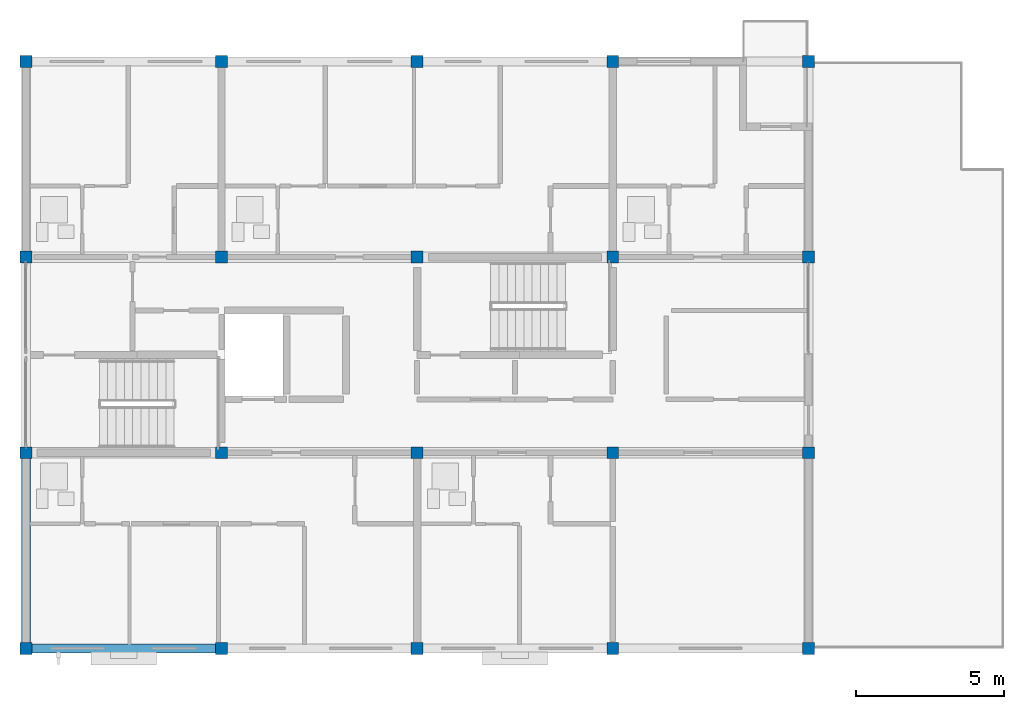
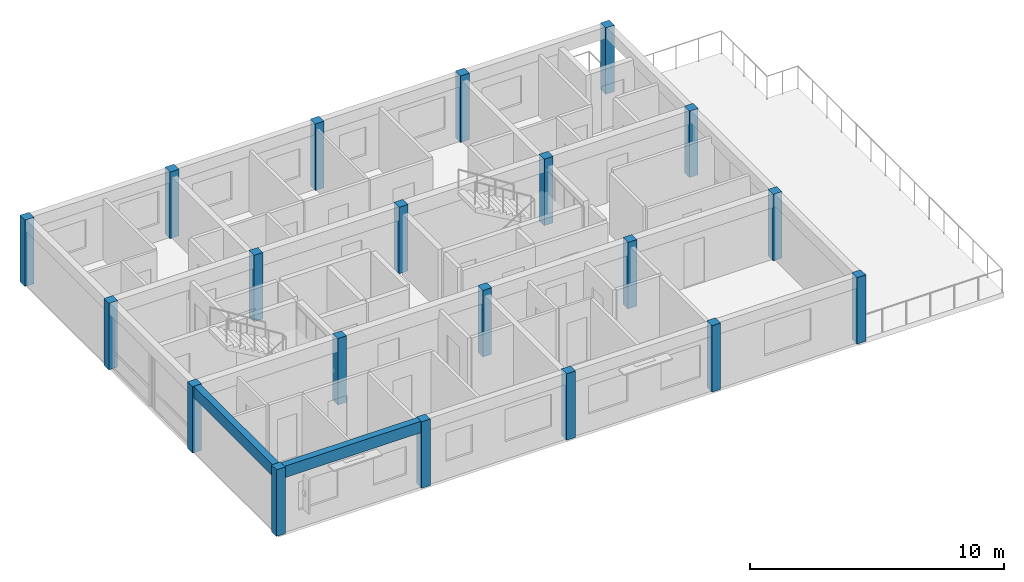
# One storey, part 1 of 12: 20 columns, 2 beams.
"""IFC4 building model written with IfcOpenShell, lengths in metres."""

from ifc_helpers import new_model, si_unit, direction, frame, origin, origin_2d, place, context, subcontext, project, spatial, rectangle, extrude, material, material_profile, profile_set, type_object, element, save


model = new_model("IFC4")

# Units and contexts
model_context = context("Model", 3, precision=1e-05, world=origin(), true_north=direction((0.0, 1.0)))
body_context = subcontext(model_context, "Body", "Model", "MODEL_VIEW")
ifc_project = project(units=[si_unit("LENGTHUNIT", "METRE"), si_unit("AREAUNIT", "SQUARE_METRE"), si_unit("VOLUMEUNIT", "CUBIC_METRE"), si_unit("PLANEANGLEUNIT", "RADIAN"), si_unit("MASSUNIT", "GRAM", prefix="KILO")], contexts=[model_context])

# Site, building, storey
site_placement = place(None, origin())
site = spatial("IfcSite", under=ifc_project, at=site_placement, CompositionType="ELEMENT")
building_placement = place(site_placement, origin())
building = spatial("IfcBuilding", under=site, at=building_placement, Name="Kernevlak Ridge Housing Community", CompositionType="ELEMENT")
storey_placement = place(building_placement, frame((0.0, 0.0, 56.39990234375)))
storey = spatial("IfcBuildingStorey", under=building, at=storey_placement, Name="L17", CompositionType="ELEMENT", Elevation=56.39990234375)

# Columns
ifc_material = material(Name="Concrete C35/45", Category="concrete")
ifc_material_profile_1 = material_profile(ifc_material, rectangle(XDim=0.39990234375, YDim=0.39990234375, at=origin_2d()), Name="RC 400x400")
ifc_profile_set_1 = profile_set([ifc_material_profile_1], Name="Concrete C35/45")
column_type = type_object("IfcColumnType", Name="C-05", PredefinedType="COLUMN", material=ifc_profile_set_1)
for number, where, z_axis, x_axis, name in (
    (1, (15.60009765625, 76.0, 0.0), (0.0, 0.0, 1.0), (1.0, 0.0, 0.0), "Column C-05 COL-A-L17-00-0"),
    (2, (15.60009765625, 82.60009765625, 0.0), (0.0, 0.0, 1.0), (1.0, 0.0, 0.0), "Column C-05 COL-A-L17-00-1"),
    (3, (15.60009765625, 89.199951171875, 0.0), (0.0, 0.0, 1.0), (1.0, 0.0, 0.0), "Column C-05 COL-A-L17-00-2"),
    (4, (15.60009765625, 95.800048828125, 0.0), (0.0, 0.0, 1.0), (1.0, 0.0, 0.0), "Column C-05 COL-A-L17-00-3"),
    (5, (22.199951171875, 76.0, 0.0), (0.0, 0.0, 1.0), (1.0, 0.0, 0.0), "Column C-05 COL-A-L17-01-0"),
    (6, (22.199951171875, 82.60009765625, 0.0), (0.0, 0.0, 1.0), (1.0, 0.0, 0.0), "Column C-05 COL-A-L17-01-1"),
    (7, (22.199951171875, 89.199951171875, 0.0), (0.0, 0.0, 1.0), (1.0, 0.0, 0.0), "Column C-05 COL-A-L17-01-2"),
    (8, (22.199951171875, 95.800048828125, 0.0), (0.0, 0.0, 1.0), (1.0, 0.0, 0.0), "Column C-05 COL-A-L17-01-3"),
    (9, (28.800048828125, 76.0, 0.0), (0.0, 0.0, 1.0), (1.0, 0.0, 0.0), "Column C-05 COL-A-L17-02-0"),
    (10, (28.800048828125, 82.60009765625, 0.0), (0.0, 0.0, 1.0), (1.0, 0.0, 0.0), "Column C-05 COL-A-L17-02-1"),
    (11, (28.800048828125, 89.199951171875, 0.0), (0.0, 0.0, 1.0), (1.0, 0.0, 0.0), "Column C-05 COL-A-L17-02-2"),
    (12, (28.800048828125, 95.800048828125, 0.0), (0.0, 0.0, 1.0), (1.0, 0.0, 0.0), "Column C-05 COL-A-L17-02-3"),
    (13, (35.39990234375, 76.0, 0.0), (0.0, 0.0, 1.0), (1.0, 0.0, 0.0), "Column C-05 COL-A-L17-03-0"),
    (14, (35.39990234375, 82.60009765625, 0.0), (0.0, 0.0, 1.0), (1.0, 0.0, 0.0), "Column C-05 COL-A-L17-03-1"),
    (15, (35.39990234375, 89.199951171875, 0.0), (0.0, 0.0, 1.0), (1.0, 0.0, 0.0), "Column C-05 COL-A-L17-03-2"),
    (16, (35.39990234375, 95.800048828125, 0.0), (0.0, 0.0, 1.0), (1.0, 0.0, 0.0), "Column C-05 COL-A-L17-03-3"),
    (17, (42.0, 76.0, 0.0), (0.0, 0.0, 1.0), (1.0, 0.0, 0.0), "Column C-05 COL-A-L17-04-0"),
    (18, (42.0, 82.60009765625, 0.0), (0.0, 0.0, 1.0), (1.0, 0.0, 0.0), "Column C-05 COL-A-L17-04-1"),
    (19, (42.0, 89.199951171875, 0.0), (0.0, 0.0, 1.0), (1.0, 0.0, 0.0), "Column C-05 COL-A-L17-04-2"),
    (20, (42.0, 95.800048828125, 0.0), (0.0, 0.0, 1.0), (1.0, 0.0, 0.0), "Column C-05 COL-A-L17-04-3"),
):
    element("IfcColumn", number, at=place(storey_placement, frame(where, z_axis=z_axis, x_axis=x_axis)), inside=storey, type_object=column_type, Name=name, PredefinedType="COLUMN", context=body_context, shape_type="SweptSolid", body=[
        extrude(rectangle(XDim=0.39990234375, YDim=0.39990234375, at=origin_2d()), origin(), (0.0, 0.0, 1.0), 3.2001953125),
    ])

# Beams
ifc_material_profile_2 = material_profile(ifc_material, rectangle(XDim=0.300048828125, YDim=0.550048828125, at=origin_2d()), Name="RC 300x550")
ifc_profile_set_2 = profile_set([ifc_material_profile_2], Name="Concrete C35/45")
beam_type = type_object("IfcBeamType", Name="SP-01", PredefinedType="SPANDREL", material=ifc_profile_set_2)
for number, where, z_axis, x_axis, name in (
    (21, (15.800048828125, 76.0, 2.925048828125), (1.0, 0.0, 0.0), (0.0, 1.0, 0.0), "Beam SP-01 L17 499"),
    (22, (15.60009765625, 76.199951171875, 2.925048828125), (0.0, 1.0, 0.0), (-1.0, 0.0, 0.0), "Beam SP-01 L17 515"),
):
    element("IfcBeam", number, at=place(storey_placement, frame(where, z_axis=z_axis, x_axis=x_axis)), inside=storey, type_object=beam_type, Name=name, PredefinedType="SPANDREL", context=body_context, shape_type="SweptSolid", body=[
        extrude(rectangle(XDim=0.300048828125, YDim=0.550048828125, at=origin_2d()), origin(), (0.0, 0.0, 1.0), 6.199951171875),
    ])

save(model, "model.ifc")
